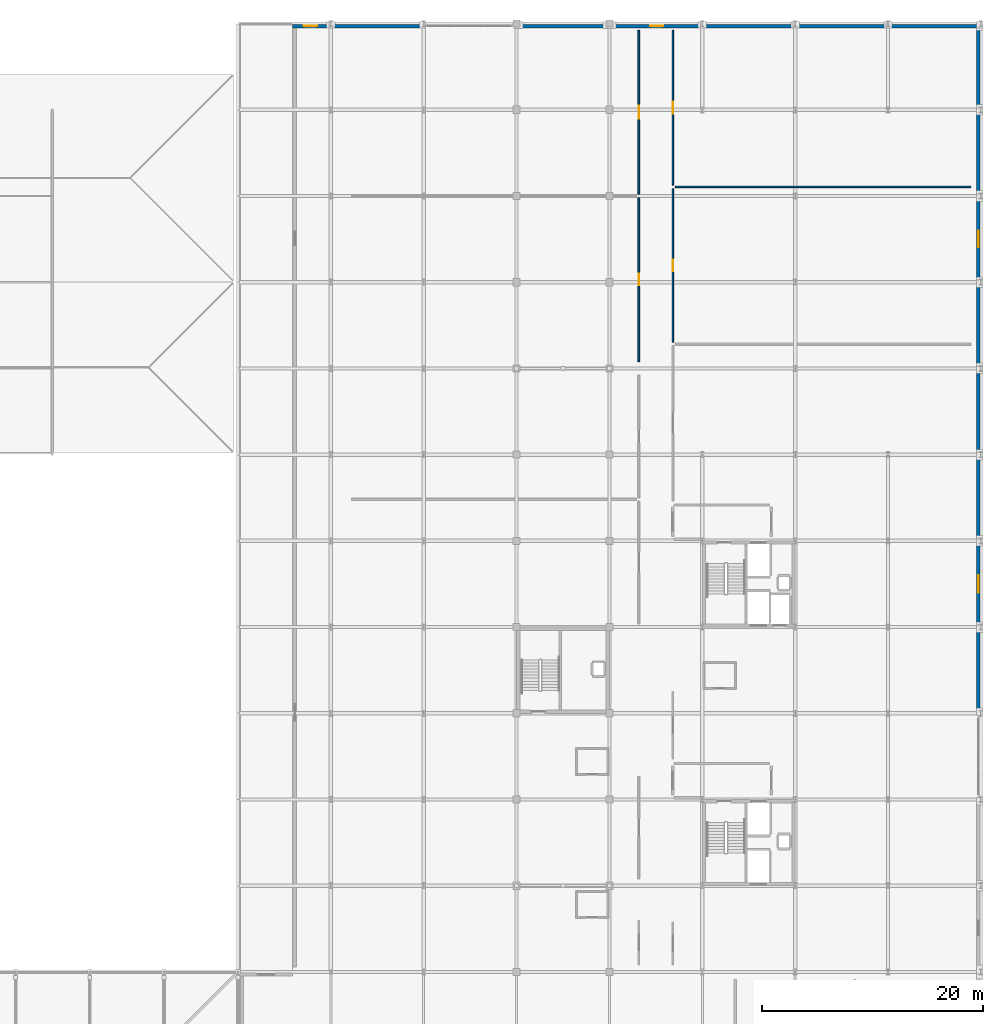
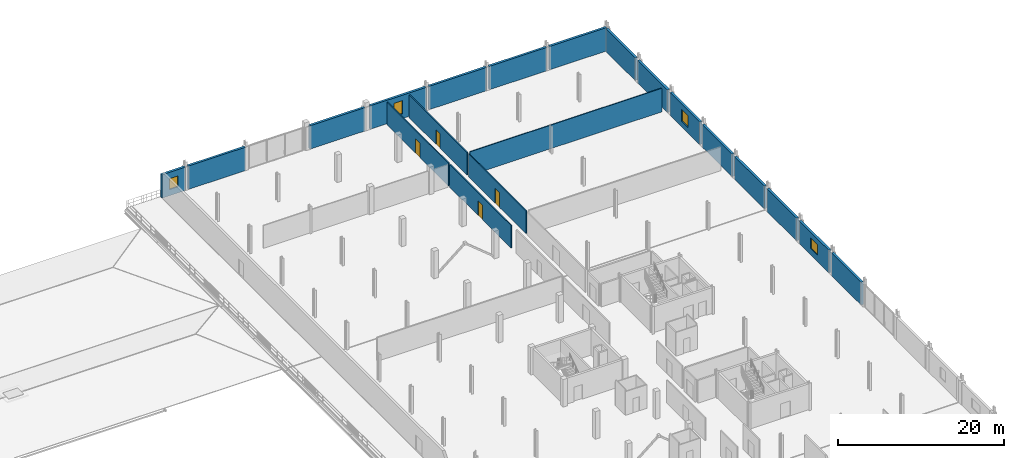
# One storey, part 63 of 77: 20 walls, 4 doors, 4 windows, 8 openings.
"""IFC4 building model written with IfcOpenShell, lengths in metres."""

from ifc_helpers import new_model, si_unit, direction, frame, frame_2d, origin, place, context, subcontext, project, spatial, rectangle, extrude, material, layer, layer_set, type_object, element, fill, save


model = new_model("IFC4")

# Units and contexts
model_context = context("Model", 3, precision=1e-05, world=origin(), true_north=direction((0.0, 1.0)))
body_context = subcontext(model_context, "Body", "Model", "MODEL_VIEW")
ifc_project = project(units=[si_unit("LENGTHUNIT", "METRE"), si_unit("AREAUNIT", "SQUARE_METRE"), si_unit("VOLUMEUNIT", "CUBIC_METRE"), si_unit("PLANEANGLEUNIT", "RADIAN"), si_unit("MASSUNIT", "GRAM", prefix="KILO")], contexts=[model_context])

# Site, building, storey
site_placement = place(None, origin())
site = spatial("IfcSite", under=ifc_project, at=site_placement, CompositionType="ELEMENT")
building_placement = place(site_placement, origin())
building = spatial("IfcBuilding", under=site, at=building_placement, Name="Nabrawat Pavilion Hospital", CompositionType="ELEMENT")
storey_placement = place(building_placement, frame((0.0, 0.0, 14.85009765625)))
storey = spatial("IfcBuildingStorey", under=building, at=storey_placement, Name="L03", CompositionType="ELEMENT", Elevation=14.85009765625)

# Wall, opening, door
ifc_material_1 = material(Name="Gypsum Fireboard on Steel Stud", Category="steel")
ifc_layer_1 = layer(ifc_material_1, 0.14990234375, Name="Gypsum Fireboard on Steel Stud")
ifc_layer_set_1 = layer_set([ifc_layer_1], Name="Gypsum Fireboard on Steel Stud")
wall_type_1 = type_object("IfcWallType", Name="Clinical Corridor Smoke-Barrier Wall 150", PredefinedType="PARTITIONING", material=ifc_layer_set_1)
wall_1_placement = place(storey_placement, frame((162.260009765625, 94.219970703125, 0.0), z_axis=(0.0, 0.0, 1.0), x_axis=(0.0, 1.0, 0.0)))
wall_1 = element("IfcWall", 1, at=wall_1_placement, inside=storey, type_object=wall_type_1, Name="L03 Cardiology Patient Rehabilitation Lounge L03-05 Front Partition", PredefinedType="PARTITIONING", context=body_context, shape_type="SweptSolid", body=[
    extrude(rectangle(XDim=14.820068359375, YDim=0.14990234375, at=frame_2d((7.41015625, 0.0))), origin(), (0.0, 0.0, 1.0), 3.349853515625),
])
opening_1_placement = place(wall_1_placement, frame((6.885009765625, 0.0, 0.0)))
opening_1 = element("IfcOpeningElement", 2, at=opening_1_placement, cuts=wall_1, Name="Opening D-OPC-L", PredefinedType="OPENING", context=body_context, shape_type="SweptSolid", body=[
    extrude(rectangle(XDim=1.050048828125, YDim=2.14990234375, at=frame_2d((0.52490234375, 1.074951171875))), frame((0.0, 0.0849609375, 0.0), z_axis=(0.0, -1.0, 0.0), x_axis=(1.0, 0.0, 0.0)), (0.0, 0.0, 1.0), 0.169921875),
])
ifc_material_2 = material(Name="Stainless-Clad Acoustic Timber and Vision Glass", Category="wood")
door_type_1 = type_object("IfcDoorType", Name="Outpatient Clinic Consultation Door L 1050x2150", OperationType="NOTDEFINED", PredefinedType="DOOR", material=ifc_material_2)
door_1_placement = place(opening_1_placement, origin())
door_1 = element("IfcDoor", 3, at=door_1_placement, inside=storey, type_object=door_type_1, Name="Cardiology Patient Rehabilitation Lounge L03-05 Door", OperationType="SINGLE_SWING_RIGHT", OverallHeight=2.14990234375, OverallWidth=1.050048828125, PredefinedType="DOOR", context=body_context, shape_type="SweptSolid", body=[
    extrude(rectangle(XDim=1.050048828125, YDim=2.14990234375, at=frame_2d((0.52490234375, 1.074951171875))), frame((0.0, 0.02490234375, 0.0), z_axis=(0.0, -1.0, 0.0), x_axis=(1.0, 0.0, 0.0)), (0.0, 0.0, 1.0), 0.050048828125),
])
fill(opening_1, door_1)

wall_2_placement = place(storey_placement, frame((162.260009765625, 109.360107421875, 0.0), z_axis=(0.0, 0.0, 1.0), x_axis=(0.0, 1.0, 0.0)))
wall_2 = element("IfcWall", 4, at=wall_2_placement, inside=storey, type_object=wall_type_1, Name="L03 Ward Pharmacy Automated Dispensing Room L03-06 Front Partition", PredefinedType="PARTITIONING", context=body_context, shape_type="SweptSolid", body=[
    extrude(rectangle(XDim=14.81982421875, YDim=0.14990234375, at=frame_2d((7.409912109375, 0.0))), origin(), (0.0, 0.0, 1.0), 3.349853515625),
])
opening_2_placement = place(wall_2_placement, frame((6.8349609375, 0.0, 0.0)))
opening_2 = element("IfcOpeningElement", 5, at=opening_2_placement, cuts=wall_2, Name="Opening D-PHM", PredefinedType="OPENING", context=body_context, shape_type="SweptSolid", body=[
    extrude(rectangle(XDim=1.14990234375, YDim=2.14990234375, at=frame_2d((0.574951171875, 1.074951171875))), frame((0.0, 0.0849609375, 0.0), z_axis=(0.0, -1.0, 0.0), x_axis=(1.0, 0.0, 0.0)), (0.0, 0.0, 1.0), 0.169921875),
])
door_type_2 = type_object("IfcDoorType", Name="Pharmacy Vault Security Fire Door 1150x2150", OperationType="NOTDEFINED", PredefinedType="DOOR", material=ifc_material_2)
door_2_placement = place(opening_2_placement, origin())
door_2 = element("IfcDoor", 6, at=door_2_placement, inside=storey, type_object=door_type_2, Name="Ward Pharmacy Automated Dispensing Room L03-06 Door", OperationType="SINGLE_SWING_LEFT", OverallHeight=2.14990234375, OverallWidth=1.14990234375, PredefinedType="DOOR", context=body_context, shape_type="SweptSolid", body=[
    extrude(rectangle(XDim=1.14990234375, YDim=2.14990234375, at=frame_2d((0.574951171875, 1.074951171875))), frame((0.0, 0.02490234375, 0.0), z_axis=(0.0, -1.0, 0.0), x_axis=(1.0, 0.0, 0.0)), (0.0, 0.0, 1.0), 0.050048828125),
])
fill(opening_2, door_2)

wall_3_placement = place(storey_placement, frame((165.340087890625, 95.9599609375, 0.0), z_axis=(0.0, 0.0, 1.0), x_axis=(0.0, 1.0, 0.0)))
wall_3 = element("IfcWall", 7, at=wall_3_placement, inside=storey, type_object=wall_type_1, Name="L03 Cardiology Ward Nurse Station L03-10 Front Partition", PredefinedType="PARTITIONING", context=body_context, shape_type="SweptSolid", body=[
    extrude(rectangle(XDim=13.91015625, YDim=0.14990234375, at=frame_2d((6.955078125, 0.0))), origin(), (0.0, 0.0, 1.0), 3.349853515625),
])
opening_3_placement = place(wall_3_placement, frame((6.429931640625, 0.0, 0.0)))
opening_3 = element("IfcOpeningElement", 8, at=opening_3_placement, cuts=wall_3, Name="Opening D-OPC-L", PredefinedType="OPENING", context=body_context, shape_type="SweptSolid", body=[
    extrude(rectangle(XDim=1.050048828125, YDim=2.14990234375, at=frame_2d((0.52490234375, 1.074951171875))), frame((0.0, 0.0849609375, 0.0), z_axis=(0.0, -1.0, 0.0), x_axis=(1.0, 0.0, 0.0)), (0.0, 0.0, 1.0), 0.169921875),
])
door_3_placement = place(opening_3_placement, origin())
door_3 = element("IfcDoor", 9, at=door_3_placement, inside=storey, type_object=door_type_1, Name="Cardiology Ward Nurse Station L03-10 Door", OperationType="SINGLE_SWING_RIGHT", OverallHeight=2.14990234375, OverallWidth=1.050048828125, PredefinedType="DOOR", context=body_context, shape_type="SweptSolid", body=[
    extrude(rectangle(XDim=1.050048828125, YDim=2.14990234375, at=frame_2d((0.52490234375, 1.074951171875))), frame((0.0, 0.02490234375, 0.0), z_axis=(0.0, -1.0, 0.0), x_axis=(1.0, 0.0, 0.0)), (0.0, 0.0, 1.0), 0.050048828125),
])
fill(opening_3, door_3)

wall_4_placement = place(storey_placement, frame((165.340087890625, 110.18994140625, 0.0), z_axis=(0.0, 0.0, 1.0), x_axis=(0.0, 1.0, 0.0)))
wall_4 = element("IfcWall", 10, at=wall_4_placement, inside=storey, type_object=wall_type_1, Name="L03 Cardiology Patient Rehabilitation Lounge L03-11 Front Partition", PredefinedType="PARTITIONING", context=body_context, shape_type="SweptSolid", body=[
    extrude(rectangle(XDim=13.989990234375, YDim=0.14990234375, at=frame_2d((6.9951171875, 0.0))), origin(), (0.0, 0.0, 1.0), 3.349853515625),
])
opening_4_placement = place(wall_4_placement, frame((6.469970703125, 0.0, 0.0)))
opening_4 = element("IfcOpeningElement", 11, at=opening_4_placement, cuts=wall_4, Name="Opening D-OPC-R", PredefinedType="OPENING", context=body_context, shape_type="SweptSolid", body=[
    extrude(rectangle(XDim=1.050048828125, YDim=2.14990234375, at=frame_2d((0.52490234375, 1.074951171875))), frame((0.0, 0.0849609375, 0.0), z_axis=(0.0, -1.0, 0.0), x_axis=(1.0, 0.0, 0.0)), (0.0, 0.0, 1.0), 0.169921875),
])
door_type_3 = type_object("IfcDoorType", Name="Outpatient Clinic Consultation Door R 1050x2150", OperationType="NOTDEFINED", PredefinedType="DOOR", material=ifc_material_2)
door_4_placement = place(opening_4_placement, origin())
door_4 = element("IfcDoor", 12, at=door_4_placement, inside=storey, type_object=door_type_3, Name="Cardiology Patient Rehabilitation Lounge L03-11 Door", OperationType="SINGLE_SWING_LEFT", OverallHeight=2.14990234375, OverallWidth=1.050048828125, PredefinedType="DOOR", context=body_context, shape_type="SweptSolid", body=[
    extrude(rectangle(XDim=1.050048828125, YDim=2.14990234375, at=frame_2d((0.52490234375, 1.074951171875))), frame((0.0, 0.02490234375, 0.0), z_axis=(0.0, -1.0, 0.0), x_axis=(1.0, 0.0, 0.0)), (0.0, 0.0, 1.0), 0.050048828125),
])
fill(opening_4, door_4)

# Wall, opening, window
ifc_material_3 = material(Name="Precast concrete C40/50", Category="concrete")
ifc_layer_2 = layer(ifc_material_3, 0.320068359375, Name="Precast concrete C40/50")
ifc_layer_set_2 = layer_set([ifc_layer_2], Name="Precast concrete C40/50")
wall_type_2 = type_object("IfcWallType", Name="Deep-Reveal Precast Facade Wall 320", PredefinedType="SOLIDWALL", material=ifc_layer_set_2)
wall_5_placement = place(storey_placement, frame((130.919921875, 124.580078125, 0.0), z_axis=(0.0, 0.0, 1.0), x_axis=(1.0, 0.0, 0.0)))
wall_5 = element("IfcWall", 13, at=wall_5_placement, inside=storey, type_object=wall_type_2, Name="L03 Deep-Reveal Precast Facade Wall 320 330", PredefinedType="SOLIDWALL", context=body_context, shape_type="SweptSolid", body=[
    extrude(rectangle(XDim=3.280029296875, YDim=0.320068359375, at=frame_2d((1.64013671875, 0.0))), origin(), (0.0, 0.0, 1.0), 3.449951171875),
])
opening_5_placement = place(wall_5_placement, frame((1.0400390625, 0.0, 0.89990234375)))
opening_5 = element("IfcOpeningElement", 14, at=opening_5_placement, cuts=wall_5, Name="Opening WN-01", PredefinedType="OPENING", context=body_context, shape_type="SweptSolid", body=[
    extrude(rectangle(XDim=1.199951171875, YDim=1.60009765625, at=frame_2d((0.60009765625, 0.800048828125))), frame((0.0, 0.169921875, 0.0), z_axis=(0.0, -1.0, 0.0), x_axis=(1.0, 0.0, 0.0)), (0.0, 0.0, 1.0), 0.340087890625),
])
ifc_material_4 = material(Name="Thermally Broken Aluminium and Solar Glass", Category="aluminium")
window_type_1 = type_object("IfcWindowType", Name="Deep-Reveal Ward Punched Window 1200x1600", PartitioningType="SINGLE_PANEL", PredefinedType="WINDOW", material=ifc_material_4)
window_1_placement = place(opening_5_placement, origin())
window_1 = element("IfcWindow", 15, at=window_1_placement, inside=storey, type_object=window_type_1, Name="L03 Deep-Reveal Ward Punched Window 1200x1600 122", OverallHeight=1.60009765625, OverallWidth=1.199951171875, PartitioningType="SINGLE_PANEL", PredefinedType="WINDOW", context=body_context, shape_type="SweptSolid", body=[
    extrude(rectangle(XDim=1.199951171875, YDim=1.60009765625, at=frame_2d((0.60009765625, 0.800048828125))), frame((0.0, 0.030029296875, 0.0), z_axis=(0.0, -1.0, 0.0), x_axis=(1.0, 0.0, 0.0)), (0.0, 0.0, 1.0), 0.06005859375),
])
fill(opening_5, window_1)

# Walls
wall_6_placement = place(storey_placement, frame((134.60009765625, 124.580078125, 0.0), z_axis=(0.0, 0.0, 1.0), x_axis=(1.0, 0.0, 0.0)))
element("IfcWall", 16, at=wall_6_placement, inside=storey, type_object=wall_type_2, Name="L03 Deep-Reveal Precast Facade Wall 320 331", PredefinedType="SOLIDWALL", context=body_context, shape_type="SweptSolid", body=[
    extrude(rectangle(XDim=8.0, YDim=0.320068359375, at=frame_2d((4.0, 0.0))), origin(), (0.0, 0.0, 1.0), 3.449951171875),
])
wall_7_placement = place(storey_placement, frame((151.574951171875, 124.580078125, 0.0), z_axis=(0.0, 0.0, 1.0), x_axis=(1.0, 0.0, 0.0)))
element("IfcWall", 17, at=wall_7_placement, inside=storey, type_object=wall_type_2, Name="L03 Deep-Reveal Precast Facade Wall 320 332", PredefinedType="SOLIDWALL", context=body_context, shape_type="SweptSolid", body=[
    extrude(rectangle(XDim=7.650146484375, YDim=0.320068359375, at=frame_2d((3.8251953125, 0.0))), origin(), (0.0, 0.0, 1.0), 3.449951171875),
])

# Wall, opening, window
wall_8_placement = place(storey_placement, frame((159.97509765625, 124.580078125, 0.0), z_axis=(0.0, 0.0, 1.0), x_axis=(1.0, 0.0, 0.0)))
wall_8 = element("IfcWall", 18, at=wall_8_placement, inside=storey, type_object=wall_type_2, Name="L03 Deep-Reveal Precast Facade Wall 320 333", PredefinedType="SOLIDWALL", context=body_context, shape_type="SweptSolid", body=[
    extrude(rectangle(XDim=7.824951171875, YDim=0.320068359375, at=frame_2d((3.91259765625, 0.0))), origin(), (0.0, 0.0, 1.0), 3.449951171875),
])
opening_6_placement = place(wall_8_placement, frame((3.33740234375, 0.0, 0.699951171875)))
opening_6 = element("IfcOpeningElement", 19, at=opening_6_placement, cuts=wall_8, Name="Opening WN-27", PredefinedType="OPENING", context=body_context, shape_type="SweptSolid", body=[
    extrude(rectangle(XDim=1.14990234375, YDim=1.949951171875, at=frame_2d((0.574951171875, 0.97509765625))), frame((0.0, 0.169921875, 0.0), z_axis=(0.0, -1.0, 0.0), x_axis=(1.0, 0.0, 0.0)), (0.0, 0.0, 1.0), 0.340087890625),
])
window_type_2 = type_object("IfcWindowType", Name="Clinical Library Tall Window 1150x1950", PartitioningType="SINGLE_PANEL", PredefinedType="WINDOW", material=ifc_material_4)
window_2_placement = place(opening_6_placement, origin())
window_2 = element("IfcWindow", 20, at=window_2_placement, inside=storey, type_object=window_type_2, Name="L03 Clinical Library Tall Window 1150x1950 123", OverallHeight=1.949951171875, OverallWidth=1.14990234375, PartitioningType="SINGLE_PANEL", PredefinedType="WINDOW", context=body_context, shape_type="SweptSolid", body=[
    extrude(rectangle(XDim=1.14990234375, YDim=1.949951171875, at=frame_2d((0.574951171875, 0.97509765625))), frame((0.0, 0.030029296875, 0.0), z_axis=(0.0, -1.0, 0.0), x_axis=(1.0, 0.0, 0.0)), (0.0, 0.0, 1.0), 0.06005859375),
])
fill(opening_6, window_2)

# Walls
for number, where, z_axis, x_axis, name in (
    (21, (168.199951171875, 124.580078125, 0.0), (0.0, 0.0, 1.0), (1.0, 0.0, 0.0), "L03 Deep-Reveal Precast Facade Wall 320 334"),
    (22, (176.60009765625, 124.580078125, 0.0), (0.0, 0.0, 1.0), (1.0, 0.0, 0.0), "L03 Deep-Reveal Precast Facade Wall 320 335"),
    (23, (185.0, 124.580078125, 0.0), (0.0, 0.0, 1.0), (1.0, 0.0, 0.0), "L03 Deep-Reveal Precast Facade Wall 320 336"),
):
    element("IfcWall", number, at=place(storey_placement, frame(where, z_axis=z_axis, x_axis=x_axis)), inside=storey, type_object=wall_type_2, Name=name, PredefinedType="SOLIDWALL", context=body_context, shape_type="SweptSolid", body=[
        extrude(rectangle(XDim=8.0, YDim=0.320068359375, at=frame_2d((4.0, 0.0))), origin(), (0.0, 0.0, 1.0), 3.449951171875),
    ])
wall_9_placement = place(storey_placement, frame((192.97998046875, 62.699951171875, 0.0), z_axis=(0.0, 0.0, 1.0), x_axis=(0.0, 1.0, 0.0)))
element("IfcWall", 24, at=wall_9_placement, inside=storey, type_object=wall_type_2, Name="L03 Deep-Reveal Precast Facade Wall 320 343", PredefinedType="SOLIDWALL", context=body_context, shape_type="SweptSolid", body=[
    extrude(rectangle(XDim=7.199951171875, YDim=0.320068359375, at=frame_2d((3.60009765625, 0.0))), origin(), (0.0, 0.0, 1.0), 3.349853515625),
])

# Wall, opening, window
wall_10_placement = place(storey_placement, frame((192.97998046875, 70.5, 0.0), z_axis=(0.0, 0.0, 1.0), x_axis=(0.0, 1.0, 0.0)))
wall_10 = element("IfcWall", 25, at=wall_10_placement, inside=storey, type_object=wall_type_2, Name="L03 Deep-Reveal Precast Facade Wall 320 344", PredefinedType="SOLIDWALL", context=body_context, shape_type="SweptSolid", body=[
    extrude(rectangle(XDim=7.199951171875, YDim=0.320068359375, at=frame_2d((3.60009765625, 0.0))), origin(), (0.0, 0.0, 1.0), 3.349853515625),
])
opening_7_placement = place(wall_10_placement, frame((2.800048828125, 0.0, 0.949951171875)))
opening_7 = element("IfcOpeningElement", 26, at=opening_7_placement, cuts=wall_10, Name="Opening WN-31", PredefinedType="OPENING", context=body_context, shape_type="SweptSolid", body=[
    extrude(rectangle(XDim=1.60009765625, YDim=1.550048828125, at=frame_2d((0.800048828125, 0.77490234375))), frame((0.0, 0.169921875, 0.0), z_axis=(0.0, -1.0, 0.0), x_axis=(1.0, 0.0, 0.0)), (0.0, 0.0, 1.0), 0.340087890625),
])
window_type_3 = type_object("IfcWindowType", Name="Dental Clinic Window 1600x1550", PartitioningType="SINGLE_PANEL", PredefinedType="WINDOW", material=ifc_material_4)
window_3_placement = place(opening_7_placement, origin())
window_3 = element("IfcWindow", 27, at=window_3_placement, inside=storey, type_object=window_type_3, Name="L03 Dental Clinic Window 1600x1550 127", OverallHeight=1.550048828125, OverallWidth=1.60009765625, PartitioningType="SINGLE_PANEL", PredefinedType="WINDOW", context=body_context, shape_type="SweptSolid", body=[
    extrude(rectangle(XDim=1.60009765625, YDim=1.550048828125, at=frame_2d((0.800048828125, 0.77490234375))), frame((0.0, 0.030029296875, 0.0), z_axis=(0.0, -1.0, 0.0), x_axis=(1.0, 0.0, 0.0)), (0.0, 0.0, 1.0), 0.06005859375),
])
fill(opening_7, window_3)

# Walls
for number, where, z_axis, x_axis, name in (
    (28, (192.97998046875, 78.300048828125, 0.0), (0.0, 0.0, 1.0), (0.0, 1.0, 0.0), "L03 Deep-Reveal Precast Facade Wall 320 345"),
    (29, (192.97998046875, 86.10009765625, 0.0), (0.0, 0.0, 1.0), (0.0, 1.0, 0.0), "L03 Deep-Reveal Precast Facade Wall 320 346"),
):
    element("IfcWall", number, at=place(storey_placement, frame(where, z_axis=z_axis, x_axis=x_axis)), inside=storey, type_object=wall_type_2, Name=name, PredefinedType="SOLIDWALL", context=body_context, shape_type="SweptSolid", body=[
        extrude(rectangle(XDim=7.199951171875, YDim=0.320068359375, at=frame_2d((3.60009765625, 0.0))), origin(), (0.0, 0.0, 1.0), 3.349853515625),
    ])
wall_11_placement = place(storey_placement, frame((192.97998046875, 93.89990234375, 0.0), z_axis=(0.0, 0.0, 1.0), x_axis=(0.0, 1.0, 0.0)))
element("IfcWall", 30, at=wall_11_placement, inside=storey, type_object=wall_type_2, Name="L03 Deep-Reveal Precast Facade Wall 320 347", PredefinedType="SOLIDWALL", context=body_context, shape_type="SweptSolid", body=[
    extrude(rectangle(XDim=7.2001953125, YDim=0.320068359375, at=frame_2d((3.60009765625, 0.0))), origin(), (0.0, 0.0, 1.0), 3.349853515625),
])

# Wall, opening, window
wall_12_placement = place(storey_placement, frame((192.97998046875, 101.699951171875, 0.0), z_axis=(0.0, 0.0, 1.0), x_axis=(0.0, 1.0, 0.0)))
wall_12 = element("IfcWall", 31, at=wall_12_placement, inside=storey, type_object=wall_type_2, Name="L03 Deep-Reveal Precast Facade Wall 320 348", PredefinedType="SOLIDWALL", context=body_context, shape_type="SweptSolid", body=[
    extrude(rectangle(XDim=7.199951171875, YDim=0.320068359375, at=frame_2d((3.60009765625, 0.0))), origin(), (0.0, 0.0, 1.0), 3.349853515625),
])
opening_8_placement = place(wall_12_placement, frame((2.85009765625, 0.0, 0.800048828125)))
opening_8 = element("IfcOpeningElement", 32, at=opening_8_placement, cuts=wall_12, Name="Opening WN-32", PredefinedType="OPENING", context=body_context, shape_type="SweptSolid", body=[
    extrude(rectangle(XDim=1.5, YDim=1.75, at=frame_2d((0.75, 0.875))), frame((0.0, 0.169921875, 0.0), z_axis=(0.0, -1.0, 0.0), x_axis=(1.0, 0.0, 0.0)), (0.0, 0.0, 1.0), 0.340087890625),
])
window_type_4 = type_object("IfcWindowType", Name="Respiratory Isolation Window 1500x1750", PartitioningType="SINGLE_PANEL", PredefinedType="WINDOW", material=ifc_material_4)
window_4_placement = place(opening_8_placement, origin())
window_4 = element("IfcWindow", 33, at=window_4_placement, inside=storey, type_object=window_type_4, Name="L03 Respiratory Isolation Window 1500x1750 128", OverallHeight=1.75, OverallWidth=1.5, PartitioningType="SINGLE_PANEL", PredefinedType="WINDOW", context=body_context, shape_type="SweptSolid", body=[
    extrude(rectangle(XDim=1.5, YDim=1.75, at=frame_2d((0.75, 0.875))), frame((0.0, 0.030029296875, 0.0), z_axis=(0.0, -1.0, 0.0), x_axis=(1.0, 0.0, 0.0)), (0.0, 0.0, 1.0), 0.06005859375),
])
fill(opening_8, window_4)

# Walls
wall_13_placement = place(storey_placement, frame((192.97998046875, 109.5, 0.0), z_axis=(0.0, 0.0, 1.0), x_axis=(0.0, 1.0, 0.0)))
element("IfcWall", 34, at=wall_13_placement, inside=storey, type_object=wall_type_2, Name="L03 Deep-Reveal Precast Facade Wall 320 349", PredefinedType="SOLIDWALL", context=body_context, shape_type="SweptSolid", body=[
    extrude(rectangle(XDim=7.199951171875, YDim=0.320068359375, at=frame_2d((3.60009765625, 0.0))), origin(), (0.0, 0.0, 1.0), 3.349853515625),
])
wall_14_placement = place(storey_placement, frame((192.97998046875, 117.300048828125, 0.0), z_axis=(0.0, 0.0, 1.0), x_axis=(0.0, 1.0, 0.0)))
element("IfcWall", 35, at=wall_14_placement, inside=storey, type_object=wall_type_2, Name="L03 Deep-Reveal Precast Facade Wall 320 350", PredefinedType="SOLIDWALL", context=body_context, shape_type="SweptSolid", body=[
    extrude(rectangle(XDim=7.06005859375, YDim=0.320068359375, at=frame_2d((3.530029296875, 0.0))), origin(), (0.0, 0.0, 1.0), 3.349853515625),
])
ifc_material_5 = material(Name="Gypsum Plasterboard on Stud", Category="gypsum")
ifc_layer_3 = layer(ifc_material_5, 0.1201171875, Name="Gypsum Plasterboard on Stud")
ifc_layer_set_3 = layer_set([ifc_layer_3], Name="Gypsum Plasterboard on Stud")
wall_type_3 = type_object("IfcWallType", Name="Outpatient Consultation Partition 120", PredefinedType="PARTITIONING", material=ifc_layer_set_3)
wall_15_placement = place(storey_placement, frame((165.56005859375, 110.030029296875, 0.0), z_axis=(0.0, 0.0, 1.0), x_axis=(1.0, 0.0, 0.0)))
element("IfcWall", 36, at=wall_15_placement, inside=storey, type_object=wall_type_3, Name="L03 Cardiology Ward Nurse Station L03-10 Dividing Partition", PredefinedType="PARTITIONING", context=body_context, shape_type="SweptSolid", body=[
    extrude(rectangle(XDim=26.75, YDim=0.1201171875, at=frame_2d((13.375, 0.0))), origin(), (0.0, 0.0, 1.0), 3.47998046875),
])

save(model, "model.ifc")
